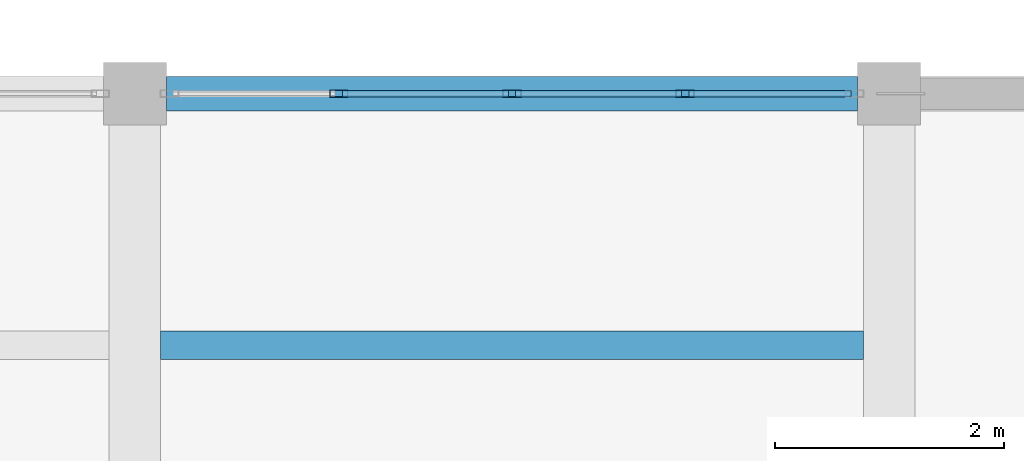
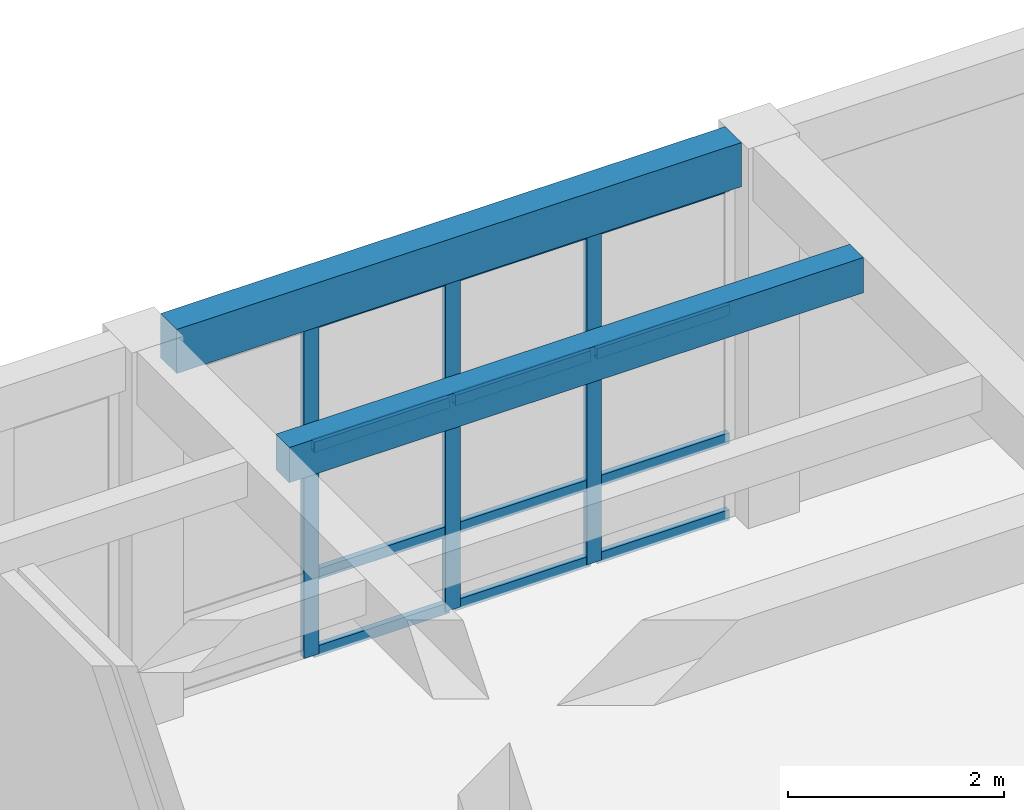
# One storey, part 8 of 48: 15 members, 2 beams, 1 element without a shape of its own.
"""IFC4 building model written with IfcOpenShell, lengths in metres."""

from ifc_helpers import new_model, si_unit, direction, frame, origin, origin_2d, place, context, subcontext, project, spatial, rectangle, hollow_rectangle, extrude, material, layer, layer_set, material_profile, profile_set, type_object, element, aggregate, save


model = new_model("IFC4")

# Units and contexts
model_context = context("Model", 3, precision=1e-05, world=origin(), true_north=direction((0.0, 1.0)))
body_context = subcontext(model_context, "Body", "Model", "MODEL_VIEW")
ifc_project = project(units=[si_unit("LENGTHUNIT", "METRE"), si_unit("AREAUNIT", "SQUARE_METRE"), si_unit("VOLUMEUNIT", "CUBIC_METRE"), si_unit("PLANEANGLEUNIT", "RADIAN"), si_unit("MASSUNIT", "GRAM", prefix="KILO")], contexts=[model_context])

# Site, building, storey
site_placement = place(None, origin())
site = spatial("IfcSite", under=ifc_project, at=site_placement, CompositionType="ELEMENT")
building_placement = place(site_placement, origin())
building = spatial("IfcBuilding", under=site, at=building_placement, Name="Kharisveld Research Institute", CompositionType="ELEMENT")
storey_placement = place(building_placement, frame((0.0, 0.0, 14.10009765625)))
storey = spatial("IfcBuildingStorey", under=building, at=storey_placement, Name="L03", CompositionType="ELEMENT", Elevation=14.10009765625)

# Curtain wall, members
ifc_material_1 = material(Name="Thermally Broken Aluminium Curtain Wall", Category="aluminium")
ifc_layer = layer(ifc_material_1, 0.159912109375)
ifc_layer_set = layer_set([ifc_layer], Name="CW_SYS_02")
curtain_wall_type = type_object("IfcCurtainWallType", Name="CW_SYS_02", PredefinedType="NOTDEFINED", material=ifc_layer_set)
curtain_wall_placement = place(storey_placement, origin())
curtain_wall = element("IfcCurtainWall", 1, at=curtain_wall_placement, inside=storey, type_object=curtain_wall_type, Name="CW:V3:L03:N4", PredefinedType="NOTDEFINED")
ifc_material_2 = material(Name="Anodised Aluminium AW-6063-T6", Category="aluminium")
ifc_material_profile_1 = material_profile(ifc_material_2, hollow_rectangle(XDim=0.06494140625, YDim=0.159912109375, WallThickness=0.00390625, at=origin_2d()))
ifc_profile_set_1 = profile_set([ifc_material_profile_1], Name="Anodised Aluminium AW-6063-T6")
member_type_1 = type_object("IfcMemberType", Name="CW_MUL_160", PredefinedType="MULLION", material=ifc_profile_set_1)
member_1_placement = place(storey_placement, frame((28.784912109375, 26.60009765625, 0.0), z_axis=(0.0, 0.0, 1.0), x_axis=(0.0, 1.0, 0.0)))
member_1 = element("IfcMember", 2, at=member_1_placement, type_object=member_type_1, Name="CW-02 mullion 2", PredefinedType="MULLION", context=body_context, shape_type="SweptSolid", body=[
    extrude(hollow_rectangle(XDim=0.06494140625, YDim=0.159912109375, WallThickness=0.00390625, at=origin_2d()), origin(), (0.0, 0.0, 1.0), 3.77978515625),
])
member_2_placement = place(storey_placement, frame((30.300048828125, 26.60009765625, 0.0), z_axis=(0.0, 0.0, 1.0), x_axis=(0.0, 1.0, 0.0)))
member_2 = element("IfcMember", 3, at=member_2_placement, type_object=member_type_1, Name="CW-02 mullion 3", PredefinedType="MULLION", context=body_context, shape_type="SweptSolid", body=[
    extrude(hollow_rectangle(XDim=0.06494140625, YDim=0.159912109375, WallThickness=0.00390625, at=origin_2d()), origin(), (0.0, 0.0, 1.0), 3.77978515625),
])
member_3_placement = place(storey_placement, frame((31.81494140625, 26.60009765625, 0.0), z_axis=(0.0, 0.0, 1.0), x_axis=(0.0, 1.0, 0.0)))
member_3 = element("IfcMember", 4, at=member_3_placement, type_object=member_type_1, Name="CW-02 mullion 4", PredefinedType="MULLION", context=body_context, shape_type="SweptSolid", body=[
    extrude(hollow_rectangle(XDim=0.06494140625, YDim=0.159912109375, WallThickness=0.00390625, at=origin_2d()), origin(), (0.0, 0.0, 1.0), 3.77978515625),
])
ifc_material_3 = material(Name="Anodised Aluminium AW-6063-T6", Category="aluminium")
ifc_material_profile_2 = material_profile(ifc_material_3, hollow_rectangle(XDim=0.06005859375, YDim=0.1201171875, WallThickness=0.00390625, at=origin_2d()))
ifc_profile_set_2 = profile_set([ifc_material_profile_2], Name="Anodised Aluminium AW-6063-T6")
member_type_2 = type_object("IfcMemberType", Name="CW_TRN_120", PredefinedType="USERDEFINED", material=ifc_profile_set_2)
member_4_placement = place(storey_placement, frame((28.8173828125, 26.60009765625, 0.02978515625), z_axis=(1.0, 0.0, 0.0), x_axis=(0.0, 1.0, 0.0)))
member_4 = element("IfcMember", 5, at=member_4_placement, type_object=member_type_2, Name="CW-02 transom 2.1", ObjectType="TRANSOM", PredefinedType="USERDEFINED", context=body_context, shape_type="SweptSolid", body=[
    extrude(hollow_rectangle(XDim=0.06005859375, YDim=0.1201171875, WallThickness=0.00390625, at=origin_2d()), origin(), (0.0, 0.0, 1.0), 1.4501953125),
])
member_5_placement = place(storey_placement, frame((28.8173828125, 26.60009765625, 0.89990234375), z_axis=(1.0, 0.0, 0.0), x_axis=(0.0, 1.0, 0.0)))
member_5 = element("IfcMember", 6, at=member_5_placement, type_object=member_type_2, Name="CW-02 transom 2.2", ObjectType="TRANSOM", PredefinedType="USERDEFINED", context=body_context, shape_type="SweptSolid", body=[
    extrude(hollow_rectangle(XDim=0.06005859375, YDim=0.1201171875, WallThickness=0.00390625, at=origin_2d()), origin(), (0.0, 0.0, 1.0), 1.4501953125),
])
member_6_placement = place(storey_placement, frame((28.8173828125, 26.60009765625, 2.349853515625), z_axis=(1.0, 0.0, 0.0), x_axis=(0.0, 1.0, 0.0)))
member_6 = element("IfcMember", 7, at=member_6_placement, type_object=member_type_2, Name="CW-02 transom 2.3", ObjectType="TRANSOM", PredefinedType="USERDEFINED", context=body_context, shape_type="SweptSolid", body=[
    extrude(hollow_rectangle(XDim=0.06005859375, YDim=0.1201171875, WallThickness=0.00390625, at=origin_2d()), origin(), (0.0, 0.0, 1.0), 1.4501953125),
])
member_7_placement = place(storey_placement, frame((28.8173828125, 26.60009765625, 3.75), z_axis=(1.0, 0.0, 0.0), x_axis=(0.0, 1.0, 0.0)))
member_7 = element("IfcMember", 8, at=member_7_placement, type_object=member_type_2, Name="CW-02 transom 2.4", ObjectType="TRANSOM", PredefinedType="USERDEFINED", context=body_context, shape_type="SweptSolid", body=[
    extrude(hollow_rectangle(XDim=0.06005859375, YDim=0.1201171875, WallThickness=0.00390625, at=origin_2d()), origin(), (0.0, 0.0, 1.0), 1.4501953125),
])
member_8_placement = place(storey_placement, frame((30.33251953125, 26.60009765625, 0.02978515625), z_axis=(1.0, 0.0, 0.0), x_axis=(0.0, 1.0, 0.0)))
member_8 = element("IfcMember", 9, at=member_8_placement, type_object=member_type_2, Name="CW-02 transom 3.1", ObjectType="TRANSOM", PredefinedType="USERDEFINED", context=body_context, shape_type="SweptSolid", body=[
    extrude(hollow_rectangle(XDim=0.06005859375, YDim=0.1201171875, WallThickness=0.00390625, at=origin_2d()), origin(), (0.0, 0.0, 1.0), 1.449951171875),
])
member_9_placement = place(storey_placement, frame((30.33251953125, 26.60009765625, 0.89990234375), z_axis=(1.0, 0.0, 0.0), x_axis=(0.0, 1.0, 0.0)))
member_9 = element("IfcMember", 10, at=member_9_placement, type_object=member_type_2, Name="CW-02 transom 3.2", ObjectType="TRANSOM", PredefinedType="USERDEFINED", context=body_context, shape_type="SweptSolid", body=[
    extrude(hollow_rectangle(XDim=0.06005859375, YDim=0.1201171875, WallThickness=0.00390625, at=origin_2d()), origin(), (0.0, 0.0, 1.0), 1.449951171875),
])
member_10_placement = place(storey_placement, frame((30.33251953125, 26.60009765625, 2.349853515625), z_axis=(1.0, 0.0, 0.0), x_axis=(0.0, 1.0, 0.0)))
member_10 = element("IfcMember", 11, at=member_10_placement, type_object=member_type_2, Name="CW-02 transom 3.3", ObjectType="TRANSOM", PredefinedType="USERDEFINED", context=body_context, shape_type="SweptSolid", body=[
    extrude(hollow_rectangle(XDim=0.06005859375, YDim=0.1201171875, WallThickness=0.00390625, at=origin_2d()), origin(), (0.0, 0.0, 1.0), 1.449951171875),
])
member_11_placement = place(storey_placement, frame((30.33251953125, 26.60009765625, 3.75), z_axis=(1.0, 0.0, 0.0), x_axis=(0.0, 1.0, 0.0)))
member_11 = element("IfcMember", 12, at=member_11_placement, type_object=member_type_2, Name="CW-02 transom 3.4", ObjectType="TRANSOM", PredefinedType="USERDEFINED", context=body_context, shape_type="SweptSolid", body=[
    extrude(hollow_rectangle(XDim=0.06005859375, YDim=0.1201171875, WallThickness=0.00390625, at=origin_2d()), origin(), (0.0, 0.0, 1.0), 1.449951171875),
])
member_12_placement = place(storey_placement, frame((31.847412109375, 26.60009765625, 0.02978515625), z_axis=(1.0, 0.0, 0.0), x_axis=(0.0, 1.0, 0.0)))
member_12 = element("IfcMember", 13, at=member_12_placement, type_object=member_type_2, Name="CW-02 transom 4.1", ObjectType="TRANSOM", PredefinedType="USERDEFINED", context=body_context, shape_type="SweptSolid", body=[
    extrude(hollow_rectangle(XDim=0.06005859375, YDim=0.1201171875, WallThickness=0.00390625, at=origin_2d()), origin(), (0.0, 0.0, 1.0), 1.41748046875),
])
member_13_placement = place(storey_placement, frame((31.847412109375, 26.60009765625, 0.89990234375), z_axis=(1.0, 0.0, 0.0), x_axis=(0.0, 1.0, 0.0)))
member_13 = element("IfcMember", 14, at=member_13_placement, type_object=member_type_2, Name="CW-02 transom 4.2", ObjectType="TRANSOM", PredefinedType="USERDEFINED", context=body_context, shape_type="SweptSolid", body=[
    extrude(hollow_rectangle(XDim=0.06005859375, YDim=0.1201171875, WallThickness=0.00390625, at=origin_2d()), origin(), (0.0, 0.0, 1.0), 1.41748046875),
])
member_14_placement = place(storey_placement, frame((31.847412109375, 26.60009765625, 2.349853515625), z_axis=(1.0, 0.0, 0.0), x_axis=(0.0, 1.0, 0.0)))
member_14 = element("IfcMember", 15, at=member_14_placement, type_object=member_type_2, Name="CW-02 transom 4.3", ObjectType="TRANSOM", PredefinedType="USERDEFINED", context=body_context, shape_type="SweptSolid", body=[
    extrude(hollow_rectangle(XDim=0.06005859375, YDim=0.1201171875, WallThickness=0.00390625, at=origin_2d()), origin(), (0.0, 0.0, 1.0), 1.41748046875),
])
member_15_placement = place(storey_placement, frame((31.847412109375, 26.60009765625, 3.75), z_axis=(1.0, 0.0, 0.0), x_axis=(0.0, 1.0, 0.0)))
member_15 = element("IfcMember", 16, at=member_15_placement, type_object=member_type_2, Name="CW-02 transom 4.4", ObjectType="TRANSOM", PredefinedType="USERDEFINED", context=body_context, shape_type="SweptSolid", body=[
    extrude(hollow_rectangle(XDim=0.06005859375, YDim=0.1201171875, WallThickness=0.00390625, at=origin_2d()), origin(), (0.0, 0.0, 1.0), 1.41748046875),
])
aggregate(curtain_wall, [member_1, member_2, member_3, member_4, member_5, member_6, member_7, member_8, member_9, member_10, member_11, member_12, member_13, member_14, member_15])

# Beams
ifc_material_4 = material(Name="Concrete C40/50", Category="concrete")
ifc_material_profile_3 = material_profile(ifc_material_4, rectangle(XDim=0.300048828125, YDim=0.5, at=origin_2d()))
ifc_profile_set_3 = profile_set([ifc_material_profile_3], Name="Concrete C40/50")
beam_type_1 = type_object("IfcBeamType", Name="SP_RC_300x500", PredefinedType="SPANDREL", material=ifc_profile_set_3)
beam_1_placement = place(storey_placement, frame((27.27490234375, 26.60009765625, 4.0498046875), z_axis=(1.0, 0.0, 0.0), x_axis=(0.0, 1.0, 0.0)))
element("IfcBeam", 17, at=beam_1_placement, inside=storey, type_object=beam_type_1, Name="BM:V3:L03:U4_4", PredefinedType="SPANDREL", context=body_context, shape_type="SweptSolid", body=[
    extrude(rectangle(XDim=0.300048828125, YDim=0.5, at=origin_2d()), origin(), (0.0, 0.0, 1.0), 6.050048828125),
])
ifc_material_5 = material(Name="Concrete C40/50", Category="concrete")
ifc_material_profile_4 = material_profile(ifc_material_5, rectangle(XDim=0.25, YDim=0.39990234375, at=origin_2d()))
ifc_profile_set_4 = profile_set([ifc_material_profile_4], Name="Concrete C40/50")
beam_type_2 = type_object("IfcBeamType", Name="WB_RC_250x400", PredefinedType="JOIST", material=ifc_profile_set_4)
beam_2_placement = place(storey_placement, frame((27.22509765625, 24.39990234375, 4.099853515625), z_axis=(1.0, 0.0, 0.0), x_axis=(0.0, 1.0, 0.0)))
element("IfcBeam", 18, at=beam_2_placement, inside=storey, type_object=beam_type_2, Name="BM:V3:L03:J_4_3_R2", PredefinedType="JOIST", context=body_context, shape_type="SweptSolid", body=[
    extrude(rectangle(XDim=0.25, YDim=0.39990234375, at=origin_2d()), origin(), (0.0, 0.0, 1.0), 6.14990234375),
])

save(model, "model.ifc")
